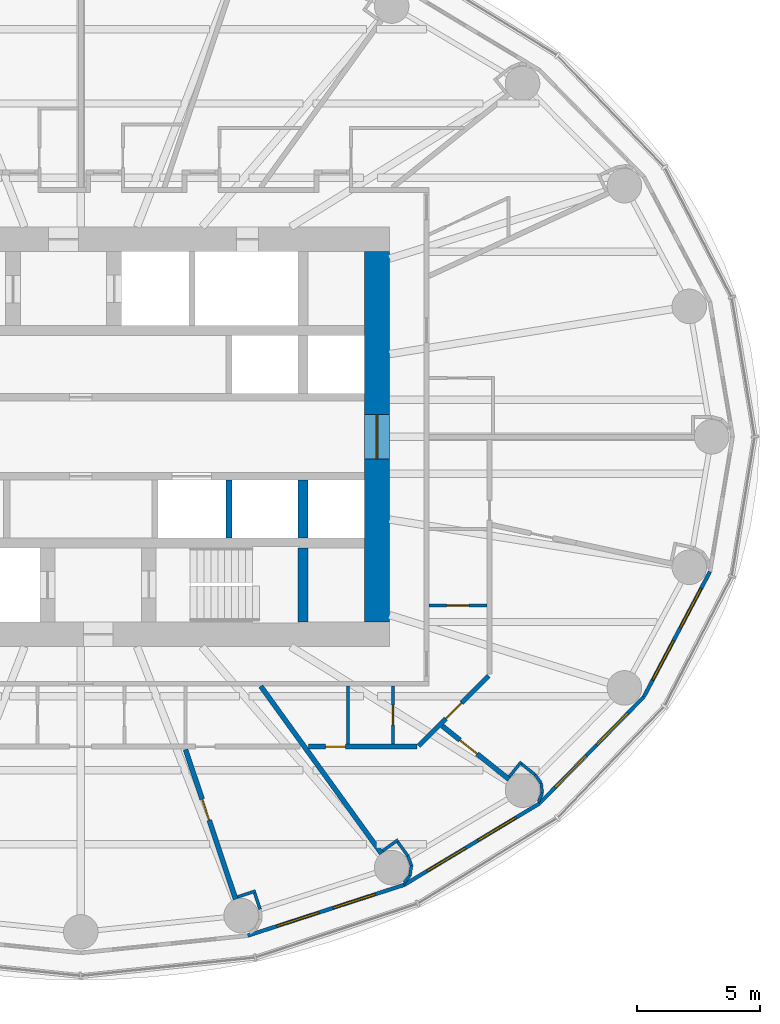
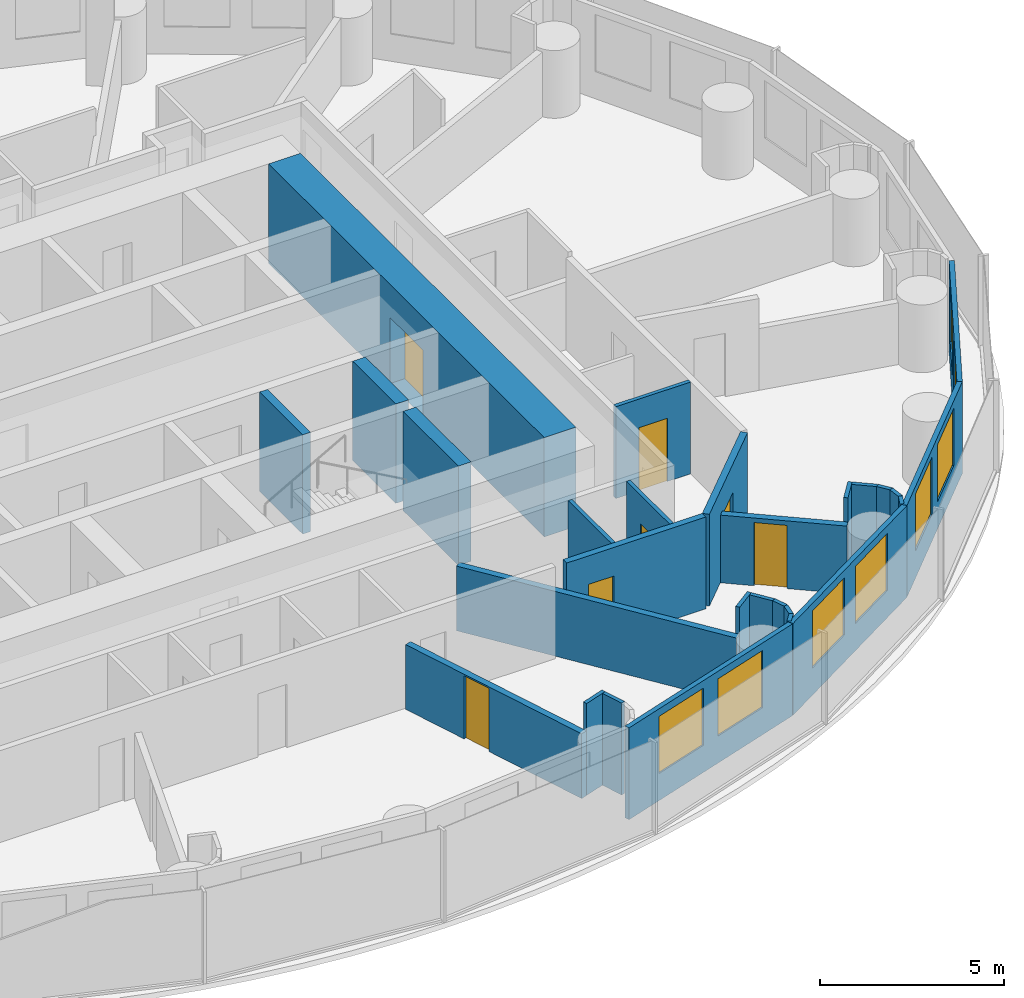
# One storey, part 9 of 14: 28 walls, 8 windows, 7 doors, 15 openings.
"""IFC4 building model written with IfcOpenShell, lengths in metres."""

from ifc_helpers import new_model, si_unit, direction, frame, frame_2d, origin, place, context, subcontext, project, spatial, rectangle, extrude, material, layer, layer_set, type_object, element, fill, save


model = new_model("IFC4")

# Units and contexts
model_context = context("Model", 3, precision=1e-05, world=origin(), true_north=direction((0.0, 1.0)))
body_context = subcontext(model_context, "Body", "Model", "MODEL_VIEW")
ifc_project = project(units=[si_unit("LENGTHUNIT", "METRE"), si_unit("AREAUNIT", "SQUARE_METRE"), si_unit("VOLUMEUNIT", "CUBIC_METRE"), si_unit("PLANEANGLEUNIT", "RADIAN"), si_unit("MASSUNIT", "GRAM", prefix="KILO")], contexts=[model_context])

# Site, building, storey
site_placement = place(None, origin())
site = spatial("IfcSite", under=ifc_project, at=site_placement, CompositionType="ELEMENT")
building_placement = place(site_placement, origin())
building = spatial("IfcBuilding", under=site, at=building_placement, Name="Hankou Lantern Tower", CompositionType="ELEMENT")
storey_placement = place(building_placement, frame((0.0, 0.0, 90.300048828125)))
storey = spatial("IfcBuildingStorey", under=building, at=storey_placement, Name="L23", CompositionType="ELEMENT", Elevation=90.300048828125)

# Wall, opening, door
ifc_material_1 = material(Name="Concrete C60", Category="concrete")
ifc_layer_1 = layer(ifc_material_1, 1.0)
ifc_layer_set_1 = layer_set([ifc_layer_1], Name="Concrete C60")
wall_type_1 = type_object("IfcWallType", Name="CW1 CORE WALL 1000", PredefinedType="SHEAR", material=ifc_layer_set_1)
wall_1_placement = place(storey_placement, frame((12.0, -7.5, 0.0), z_axis=(0.0, 0.0, 1.0), x_axis=(0.0, 1.0, 0.0)))
wall_1 = element("IfcWall", 1, at=wall_1_placement, inside=storey, type_object=wall_type_1, Name="Core wall east L23", PredefinedType="SHEAR", context=body_context, shape_type="SweptSolid", body=[
    extrude(rectangle(XDim=15.0, YDim=1.0, at=frame_2d((7.5, 0.0))), origin(), (0.0, 0.0, 1.0), 3.300048828125),
])
opening_1_placement = place(wall_1_placement, frame((6.60009765625, 0.0, 0.0)))
opening_1 = element("IfcOpeningElement", 2, at=opening_1_placement, cuts=wall_1, Name="Opening D6", PredefinedType="OPENING", context=body_context, shape_type="SweptSolid", body=[
    extrude(rectangle(XDim=1.800048828125, YDim=2.199951171875, at=frame_2d((0.89990234375, 1.10009765625))), frame((0.0, 0.510009765625, 0.0), z_axis=(0.0, -1.0, 0.0), x_axis=(1.0, 0.0, 0.0)), (0.0, 0.0, 1.0), 1.02001953125),
])
ifc_material_2 = material(Name="Steel door leaf", Category="steel")
door_type_1 = type_object("IfcDoorType", Name="D6 LIFT LOBBY DOOR 1800X2200", OperationType="DOUBLE_DOOR_DOUBLE_SWING", PredefinedType="DOOR", material=ifc_material_2)
door_1_placement = place(opening_1_placement, origin())
door_1 = element("IfcDoor", 3, at=door_1_placement, inside=storey, type_object=door_type_1, Name="Lift lobby east door", OperationType="DOUBLE_DOOR_DOUBLE_SWING", OverallHeight=2.199951171875, OverallWidth=1.800048828125, PredefinedType="DOOR", context=body_context, shape_type="SweptSolid", body=[
    extrude(rectangle(XDim=1.800048828125, YDim=2.199951171875, at=frame_2d((0.89990234375, 1.10009765625))), frame((0.0, 0.02490234375, 0.0), z_axis=(0.0, -1.0, 0.0), x_axis=(1.0, 0.0, 0.0)), (0.0, 0.0, 1.0), 0.050048828125),
])
fill(opening_1, door_1)

# Walls
ifc_material_3 = material(Name="Concrete C60", Category="concrete")
ifc_layer_2 = layer(ifc_material_3, 0.39990234375)
ifc_layer_set_2 = layer_set([ifc_layer_2], Name="Concrete C60")
wall_type_2 = type_object("IfcWallType", Name="CW4 CORE CROSS WALL 400", PredefinedType="SHEAR", material=ifc_layer_set_2)
wall_2_placement = place(storey_placement, frame((9.0, -4.10009765625, 0.0), z_axis=(0.0, 0.0, 1.0), x_axis=(0.0, 1.0, 0.0)))
element("IfcWall", 4, at=wall_2_placement, inside=storey, type_object=wall_type_2, Name="Core strip wall L23", PredefinedType="SHEAR", context=body_context, shape_type="SweptSolid", body=[
    extrude(rectangle(XDim=2.35009765625, YDim=0.39990234375, at=frame_2d((1.175048828125, 0.0))), origin(), (0.0, 0.0, 1.0), 3.300048828125),
])
wall_3_placement = place(storey_placement, frame((9.0, -7.5, 0.0), z_axis=(0.0, 0.0, 1.0), x_axis=(0.0, 1.0, 0.0)))
element("IfcWall", 5, at=wall_3_placement, inside=storey, type_object=wall_type_2, Name="Core strip wall L23", PredefinedType="SHEAR", context=body_context, shape_type="SweptSolid", body=[
    extrude(rectangle(XDim=3.0, YDim=0.39990234375, at=frame_2d((1.5, 0.0))), origin(), (0.0, 0.0, 1.0), 3.300048828125),
])

# Wall, openings, windows
ifc_material_4 = material(Name="Aluminium spandrel panel on steel studs", Category="steel")
ifc_layer_3 = layer(ifc_material_4, 0.14990234375)
ifc_layer_set_3 = layer_set([ifc_layer_3], Name="Aluminium spandrel panel on steel studs")
wall_type_3 = type_object("IfcWallType", Name="EW1 INNER SKIN WALL 150", PredefinedType="ELEMENTEDWALL", material=ifc_layer_set_3)
wall_4_placement = place(storey_placement, frame((6.766357421875, -20.201904296875, 0.0), z_axis=(0.0, 0.0, 1.0), x_axis=(0.951137534625, 0.308767534285, 0.0)))
wall_4 = element("IfcWall", 6, at=wall_4_placement, inside=storey, type_object=wall_type_3, Name="Inner skin R20-R21 L23", PredefinedType="ELEMENTEDWALL", context=body_context, shape_type="SweptSolid", body=[
    extrude(rectangle(XDim=6.6552734375, YDim=0.14990234375, at=frame_2d((3.32763671875, 0.0))), origin(), (0.0, 0.0, 1.0), 3.050048828125),
])
opening_2_placement = place(wall_4_placement, frame((1.2275390625, 0.0, 0.89990234375)))
opening_2 = element("IfcOpeningElement", 7, at=opening_2_placement, cuts=wall_4, Name="Opening W1", PredefinedType="OPENING", context=body_context, shape_type="SweptSolid", body=[
    extrude(rectangle(XDim=1.800048828125, YDim=1.89990234375, at=frame_2d((0.89990234375, 0.949951171875))), frame((0.0, 0.0849609375, 0.0), z_axis=(0.0, -1.0, 0.0), x_axis=(1.0, 0.0, 0.0)), (0.0, 0.0, 1.0), 0.169921875),
])
opening_3_placement = place(wall_4_placement, frame((3.627685546875, 0.0, 0.89990234375)))
opening_3 = element("IfcOpeningElement", 8, at=opening_3_placement, cuts=wall_4, Name="Opening W1", PredefinedType="OPENING", context=body_context, shape_type="SweptSolid", body=[
    extrude(rectangle(XDim=1.800048828125, YDim=1.89990234375, at=frame_2d((0.89990234375, 0.949951171875))), frame((0.0, 0.0849609375, 0.0), z_axis=(0.0, -1.0, 0.0), x_axis=(1.0, 0.0, 0.0)), (0.0, 0.0, 1.0), 0.169921875),
])
ifc_material_5 = material(Name="Aluminium framed double glazed window", Category="aluminium")
window_type = type_object("IfcWindowType", Name="W1 GUEST ROOM WINDOW 1800X1900", PartitioningType="DOUBLE_PANEL_VERTICAL", PredefinedType="WINDOW", material=ifc_material_5)
window_1_placement = place(opening_2_placement, origin())
window_1 = element("IfcWindow", 9, at=window_1_placement, inside=storey, type_object=window_type, Name="Window R20.1 L23", OverallHeight=1.89990234375, OverallWidth=1.800048828125, PartitioningType="SINGLE_PANEL", PredefinedType="WINDOW", context=body_context, shape_type="SweptSolid", body=[
    extrude(rectangle(XDim=1.800048828125, YDim=1.89990234375, at=frame_2d((0.89990234375, 0.949951171875))), frame((0.0, 0.030029296875, 0.0), z_axis=(0.0, -1.0, 0.0), x_axis=(1.0, 0.0, 0.0)), (0.0, 0.0, 1.0), 0.06005859375),
])
fill(opening_2, window_1)
window_2_placement = place(opening_3_placement, origin())
window_2 = element("IfcWindow", 10, at=window_2_placement, inside=storey, type_object=window_type, Name="Window R20.2 L23", OverallHeight=1.89990234375, OverallWidth=1.800048828125, PartitioningType="SINGLE_PANEL", PredefinedType="WINDOW", context=body_context, shape_type="SweptSolid", body=[
    extrude(rectangle(XDim=1.800048828125, YDim=1.89990234375, at=frame_2d((0.89990234375, 0.949951171875))), frame((0.0, 0.030029296875, 0.0), z_axis=(0.0, -1.0, 0.0), x_axis=(1.0, 0.0, 0.0)), (0.0, 0.0, 1.0), 0.06005859375),
])
fill(opening_3, window_2)

wall_5_placement = place(storey_placement, frame((13.096435546875, -18.14697265625, 0.0), z_axis=(0.0, 0.0, 1.0), x_axis=(0.856983180864, 0.515344377787, 0.0)))
wall_5 = element("IfcWall", 11, at=wall_5_placement, inside=storey, type_object=wall_type_3, Name="Inner skin R21-R22 L23", PredefinedType="ELEMENTEDWALL", context=body_context, shape_type="SweptSolid", body=[
    extrude(rectangle(XDim=6.386474609375, YDim=0.14990234375, at=frame_2d((3.193359375, 0.0))), origin(), (0.0, 0.0, 1.0), 3.050048828125),
])
opening_4_placement = place(wall_5_placement, frame((1.09326171875, 0.0, 0.89990234375)))
opening_4 = element("IfcOpeningElement", 12, at=opening_4_placement, cuts=wall_5, Name="Opening W1", PredefinedType="OPENING", context=body_context, shape_type="SweptSolid", body=[
    extrude(rectangle(XDim=1.800048828125, YDim=1.89990234375, at=frame_2d((0.89990234375, 0.949951171875))), frame((0.0, 0.0849609375, 0.0), z_axis=(0.0, -1.0, 0.0), x_axis=(1.0, 0.0, 0.0)), (0.0, 0.0, 1.0), 0.169921875),
])
opening_5_placement = place(wall_5_placement, frame((3.4931640625, 0.0, 0.89990234375)))
opening_5 = element("IfcOpeningElement", 13, at=opening_5_placement, cuts=wall_5, Name="Opening W1", PredefinedType="OPENING", context=body_context, shape_type="SweptSolid", body=[
    extrude(rectangle(XDim=1.800048828125, YDim=1.89990234375, at=frame_2d((0.89990234375, 0.949951171875))), frame((0.0, 0.0849609375, 0.0), z_axis=(0.0, -1.0, 0.0), x_axis=(1.0, 0.0, 0.0)), (0.0, 0.0, 1.0), 0.169921875),
])
window_3_placement = place(opening_4_placement, origin())
window_3 = element("IfcWindow", 14, at=window_3_placement, inside=storey, type_object=window_type, Name="Window R21.1 L23", OverallHeight=1.89990234375, OverallWidth=1.800048828125, PartitioningType="SINGLE_PANEL", PredefinedType="WINDOW", context=body_context, shape_type="SweptSolid", body=[
    extrude(rectangle(XDim=1.800048828125, YDim=1.89990234375, at=frame_2d((0.89990234375, 0.949951171875))), frame((0.0, 0.030029296875, 0.0), z_axis=(0.0, -1.0, 0.0), x_axis=(1.0, 0.0, 0.0)), (0.0, 0.0, 1.0), 0.06005859375),
])
fill(opening_4, window_3)
window_4_placement = place(opening_5_placement, origin())
window_4 = element("IfcWindow", 15, at=window_4_placement, inside=storey, type_object=window_type, Name="Window R21.2 L23", OverallHeight=1.89990234375, OverallWidth=1.800048828125, PartitioningType="SINGLE_PANEL", PredefinedType="WINDOW", context=body_context, shape_type="SweptSolid", body=[
    extrude(rectangle(XDim=1.800048828125, YDim=1.89990234375, at=frame_2d((0.89990234375, 0.949951171875))), frame((0.0, 0.030029296875, 0.0), z_axis=(0.0, -1.0, 0.0), x_axis=(1.0, 0.0, 0.0)), (0.0, 0.0, 1.0), 0.06005859375),
])
fill(opening_5, window_4)

wall_6_placement = place(storey_placement, frame((18.569580078125, -14.855712890625, 0.0), z_axis=(0.0, 0.0, 1.0), x_axis=(0.699602905915, 0.714531856557, 0.0)))
wall_6 = element("IfcWall", 16, at=wall_6_placement, inside=storey, type_object=wall_type_3, Name="Inner skin R22-R23 L23", PredefinedType="ELEMENTEDWALL", context=body_context, shape_type="SweptSolid", body=[
    extrude(rectangle(XDim=6.05078125, YDim=0.14990234375, at=frame_2d((3.025390625, 0.0))), origin(), (0.0, 0.0, 1.0), 3.050048828125),
])
opening_6_placement = place(wall_6_placement, frame((0.925537109375, 0.0, 0.89990234375)))
opening_6 = element("IfcOpeningElement", 17, at=opening_6_placement, cuts=wall_6, Name="Opening W1", PredefinedType="OPENING", context=body_context, shape_type="SweptSolid", body=[
    extrude(rectangle(XDim=1.800048828125, YDim=1.89990234375, at=frame_2d((0.89990234375, 0.949951171875))), frame((0.0, 0.0849609375, 0.0), z_axis=(0.0, -1.0, 0.0), x_axis=(1.0, 0.0, 0.0)), (0.0, 0.0, 1.0), 0.169921875),
])
opening_7_placement = place(wall_6_placement, frame((3.325439453125, 0.0, 0.89990234375)))
opening_7 = element("IfcOpeningElement", 18, at=opening_7_placement, cuts=wall_6, Name="Opening W1", PredefinedType="OPENING", context=body_context, shape_type="SweptSolid", body=[
    extrude(rectangle(XDim=1.800048828125, YDim=1.89990234375, at=frame_2d((0.89990234375, 0.949951171875))), frame((0.0, 0.0849609375, 0.0), z_axis=(0.0, -1.0, 0.0), x_axis=(1.0, 0.0, 0.0)), (0.0, 0.0, 1.0), 0.169921875),
])
window_5_placement = place(opening_6_placement, origin())
window_5 = element("IfcWindow", 19, at=window_5_placement, inside=storey, type_object=window_type, Name="Window R22.1 L23", OverallHeight=1.89990234375, OverallWidth=1.800048828125, PartitioningType="SINGLE_PANEL", PredefinedType="WINDOW", context=body_context, shape_type="SweptSolid", body=[
    extrude(rectangle(XDim=1.800048828125, YDim=1.89990234375, at=frame_2d((0.89990234375, 0.949951171875))), frame((0.0, 0.030029296875, 0.0), z_axis=(0.0, -1.0, 0.0), x_axis=(1.0, 0.0, 0.0)), (0.0, 0.0, 1.0), 0.06005859375),
])
fill(opening_6, window_5)
window_6_placement = place(opening_7_placement, origin())
window_6 = element("IfcWindow", 20, at=window_6_placement, inside=storey, type_object=window_type, Name="Window R22.2 L23", OverallHeight=1.89990234375, OverallWidth=1.800048828125, PartitioningType="SINGLE_PANEL", PredefinedType="WINDOW", context=body_context, shape_type="SweptSolid", body=[
    extrude(rectangle(XDim=1.800048828125, YDim=1.89990234375, at=frame_2d((0.89990234375, 0.949951171875))), frame((0.0, 0.030029296875, 0.0), z_axis=(0.0, -1.0, 0.0), x_axis=(1.0, 0.0, 0.0)), (0.0, 0.0, 1.0), 0.06005859375),
])
fill(opening_7, window_6)

wall_7_placement = place(storey_placement, frame((22.802734375, -10.5322265625, 0.0), z_axis=(0.0, 0.0, 1.0), x_axis=(0.467296867008, 0.884100468321, 0.0)))
wall_7 = element("IfcWall", 21, at=wall_7_placement, inside=storey, type_object=wall_type_3, Name="Inner skin R23-R24 L23", PredefinedType="ELEMENTEDWALL", context=body_context, shape_type="SweptSolid", body=[
    extrude(rectangle(XDim=5.734375, YDim=0.14990234375, at=frame_2d((2.8671875, 0.0))), origin(), (0.0, 0.0, 1.0), 3.050048828125),
])
opening_8_placement = place(wall_7_placement, frame((0.76708984375, 0.0, 0.89990234375)))
opening_8 = element("IfcOpeningElement", 22, at=opening_8_placement, cuts=wall_7, Name="Opening W1", PredefinedType="OPENING", context=body_context, shape_type="SweptSolid", body=[
    extrude(rectangle(XDim=1.800048828125, YDim=1.89990234375, at=frame_2d((0.89990234375, 0.949951171875))), frame((0.0, 0.0849609375, 0.0), z_axis=(0.0, -1.0, 0.0), x_axis=(1.0, 0.0, 0.0)), (0.0, 0.0, 1.0), 0.169921875),
])
opening_9_placement = place(wall_7_placement, frame((3.167236328125, 0.0, 0.89990234375)))
opening_9 = element("IfcOpeningElement", 23, at=opening_9_placement, cuts=wall_7, Name="Opening W1", PredefinedType="OPENING", context=body_context, shape_type="SweptSolid", body=[
    extrude(rectangle(XDim=1.800048828125, YDim=1.89990234375, at=frame_2d((0.89990234375, 0.949951171875))), frame((0.0, 0.0849609375, 0.0), z_axis=(0.0, -1.0, 0.0), x_axis=(1.0, 0.0, 0.0)), (0.0, 0.0, 1.0), 0.169921875),
])
window_7_placement = place(opening_8_placement, origin())
window_7 = element("IfcWindow", 24, at=window_7_placement, inside=storey, type_object=window_type, Name="Window R23.1 L23", OverallHeight=1.89990234375, OverallWidth=1.800048828125, PartitioningType="SINGLE_PANEL", PredefinedType="WINDOW", context=body_context, shape_type="SweptSolid", body=[
    extrude(rectangle(XDim=1.800048828125, YDim=1.89990234375, at=frame_2d((0.89990234375, 0.949951171875))), frame((0.0, 0.030029296875, 0.0), z_axis=(0.0, -1.0, 0.0), x_axis=(1.0, 0.0, 0.0)), (0.0, 0.0, 1.0), 0.06005859375),
])
fill(opening_8, window_7)
window_8_placement = place(opening_9_placement, origin())
window_8 = element("IfcWindow", 25, at=window_8_placement, inside=storey, type_object=window_type, Name="Window R23.2 L23", OverallHeight=1.89990234375, OverallWidth=1.800048828125, PartitioningType="SINGLE_PANEL", PredefinedType="WINDOW", context=body_context, shape_type="SweptSolid", body=[
    extrude(rectangle(XDim=1.800048828125, YDim=1.89990234375, at=frame_2d((0.89990234375, 0.949951171875))), frame((0.0, 0.030029296875, 0.0), z_axis=(0.0, -1.0, 0.0), x_axis=(1.0, 0.0, 0.0)), (0.0, 0.0, 1.0), 0.06005859375),
])
fill(opening_9, window_8)

# Walls
ifc_material_6 = material(Name="Masonry lightweight concrete block", Category="masonry")
ifc_layer_4 = layer(ifc_material_6, 0.199951171875)
ifc_layer_set_4 = layer_set([ifc_layer_4], Name="Masonry lightweight concrete block")
wall_type_4 = type_object("IfcWallType", Name="IW1 GUEST ROOM PARTY WALL 200", PredefinedType="PARTITIONING", material=ifc_layer_set_4)
wall_8_placement = place(storey_placement, frame((7.2890625, -10.10009765625, 0.0), z_axis=(0.0, 0.0, 1.0), x_axis=(0.585198353053, -0.810890182197, 0.0)))
element("IfcWall", 26, at=wall_8_placement, inside=storey, type_object=wall_type_4, Name="Party wall R21", PredefinedType="PARTITIONING", context=body_context, shape_type="SweptSolid", body=[
    extrude(rectangle(XDim=8.359619140625, YDim=0.199951171875, at=frame_2d((4.1796875, 0.0))), origin(), (0.0, 0.0, 1.0), 2.14990234375),
])
ifc_material_7 = material(Name="Masonry lightweight concrete block", Category="masonry")
ifc_layer_5 = layer(ifc_material_7, 0.1201171875)
ifc_layer_set_5 = layer_set([ifc_layer_5], Name="Masonry lightweight concrete block")
wall_type_5 = type_object("IfcWallType", Name="IW3 BATHROOM WALL 120", PredefinedType="PARTITIONING", material=ifc_layer_set_5)
wall_9_placement = place(storey_placement, frame((10.813720703125, -10.10009765625, 0.0), z_axis=(0.0, 0.0, 1.0), x_axis=(0.0, -1.0, 0.0)))
element("IfcWall", 27, at=wall_9_placement, inside=storey, type_object=wall_type_5, Name="Box wall 2307 1", PredefinedType="PARTITIONING", context=body_context, shape_type="SweptSolid", body=[
    extrude(rectangle(XDim=2.349853515625, YDim=0.1201171875, at=frame_2d((1.1748046875, 0.0))), origin(), (0.0, 0.0, 1.0), 3.050048828125),
])

# Wall, opening, door
wall_10_placement = place(storey_placement, frame((12.6435546875, -10.10009765625, 0.0), z_axis=(0.0, 0.0, 1.0), x_axis=(0.0, -1.0, 0.0)))
wall_10 = element("IfcWall", 28, at=wall_10_placement, inside=storey, type_object=wall_type_5, Name="Box wall 2307 2", PredefinedType="PARTITIONING", context=body_context, shape_type="SweptSolid", body=[
    extrude(rectangle(XDim=2.349853515625, YDim=0.1201171875, at=frame_2d((1.1748046875, 0.0))), origin(), (0.0, 0.0, 1.0), 3.050048828125),
])
opening_10_placement = place(wall_10_placement, frame((0.77001953125, 0.0, 0.0)))
opening_10 = element("IfcOpeningElement", 29, at=opening_10_placement, cuts=wall_10, Name="Opening D3", PredefinedType="OPENING", context=body_context, shape_type="SweptSolid", body=[
    extrude(rectangle(XDim=0.800048828125, YDim=2.10009765625, at=frame_2d((0.39990234375, 1.050048828125))), frame((0.0, 0.070068359375, 0.0), z_axis=(0.0, -1.0, 0.0), x_axis=(1.0, 0.0, 0.0)), (0.0, 0.0, 1.0), 0.14013671875),
])
ifc_material_8 = material(Name="Timber door leaf", Category="wood")
door_type_2 = type_object("IfcDoorType", Name="D3 BATHROOM DOOR 800X2100", OperationType="SINGLE_SWING_LEFT", PredefinedType="DOOR", material=ifc_material_8)
door_2_placement = place(opening_10_placement, origin())
door_2 = element("IfcDoor", 30, at=door_2_placement, inside=storey, type_object=door_type_2, Name="Family suite 2307 guest WC door", OperationType="SINGLE_SWING_LEFT", OverallHeight=2.10009765625, OverallWidth=0.800048828125, PredefinedType="DOOR", context=body_context, shape_type="SweptSolid", body=[
    extrude(rectangle(XDim=0.800048828125, YDim=2.10009765625, at=frame_2d((0.39990234375, 1.050048828125))), frame((0.0, 0.02490234375, 0.0), z_axis=(0.0, -1.0, 0.0), x_axis=(1.0, 0.0, 0.0)), (0.0, 0.0, 1.0), 0.050048828125),
])
fill(opening_10, door_2)

wall_11_placement = place(storey_placement, frame((14.10009765625, -6.83642578125, 0.0), z_axis=(0.0, 0.0, 1.0), x_axis=(1.0, 0.0, 0.0)))
wall_11 = element("IfcWall", 31, at=wall_11_placement, inside=storey, type_object=wall_type_5, Name="Box wall 2307 3", PredefinedType="PARTITIONING", context=body_context, shape_type="SweptSolid", body=[
    extrude(rectangle(XDim=2.349853515625, YDim=0.1201171875, at=frame_2d((1.1748046875, 0.0))), origin(), (0.0, 0.0, 1.0), 3.050048828125),
])
opening_11_placement = place(wall_11_placement, frame((0.719970703125, 0.0, 0.0)))
opening_11 = element("IfcOpeningElement", 32, at=opening_11_placement, cuts=wall_11, Name="Opening D27", PredefinedType="OPENING", context=body_context, shape_type="SweptSolid", body=[
    extrude(rectangle(XDim=0.89990234375, YDim=2.10009765625, at=frame_2d((0.449951171875, 1.050048828125))), frame((0.0, 0.070068359375, 0.0), z_axis=(0.0, -1.0, 0.0), x_axis=(1.0, 0.0, 0.0)), (0.0, 0.0, 1.0), 0.14013671875),
])
ifc_material_9 = material(Name="Timber door leaf", Category="wood")
door_type_3 = type_object("IfcDoorType", Name="D27 INTERNAL DOOR 900X2100", OperationType="SINGLE_SWING_LEFT", PredefinedType="DOOR", material=ifc_material_9)
door_3_placement = place(opening_11_placement, origin())
door_3 = element("IfcDoor", 33, at=door_3_placement, inside=storey, type_object=door_type_3, Name="Family suite 2307 walk-in wardrobe door", OperationType="SINGLE_SWING_LEFT", OverallHeight=2.10009765625, OverallWidth=0.89990234375, PredefinedType="DOOR", context=body_context, shape_type="SweptSolid", body=[
    extrude(rectangle(XDim=0.89990234375, YDim=2.10009765625, at=frame_2d((0.449951171875, 1.050048828125))), frame((0.0, 0.02490234375, 0.0), z_axis=(0.0, -1.0, 0.0), x_axis=(1.0, 0.0, 0.0)), (0.0, 0.0, 1.0), 0.050048828125),
])
fill(opening_11, door_3)

# Walls
ifc_material_10 = material(Name="Masonry lightweight concrete block", Category="masonry")
ifc_layer_6 = layer(ifc_material_10, 0.1201171875)
ifc_layer_set_6 = layer_set([ifc_layer_6], Name="Masonry lightweight concrete block")
wall_type_6 = type_object("IfcWallType", Name="IW4 PARTITION 120", PredefinedType="PARTITIONING", material=ifc_layer_set_6)
wall_12_placement = place(storey_placement, frame((6.348388671875, -18.638916015625, 0.0), z_axis=(0.0, 0.0, 1.0), x_axis=(0.948268951266, 0.317468102437, 0.0)))
element("IfcWall", 34, at=wall_12_placement, inside=storey, type_object=wall_type_6, Name="Column casing R20 return", PredefinedType="PARTITIONING", context=body_context, shape_type="SweptSolid", body=[
    extrude(rectangle(XDim=0.767578125, YDim=0.1201171875, at=frame_2d((0.3837890625, 0.0))), origin(), (0.0, 0.0, 1.0), 3.050048828125),
])
wall_13_placement = place(storey_placement, frame((7.038330078125, -18.47119140625, 0.0), z_axis=(0.0, 0.0, 1.0), x_axis=(0.317378466199, -0.9482989556, 0.0)))
element("IfcWall", 35, at=wall_13_placement, inside=storey, type_object=wall_type_6, Name="Column casing R20", PredefinedType="PARTITIONING", context=body_context, shape_type="SweptSolid", body=[
    extrude(rectangle(XDim=0.699951171875, YDim=0.1201171875, at=frame_2d((0.35009765625, 0.0))), origin(), (0.0, 0.0, 1.0), 3.050048828125),
])
wall_14_placement = place(storey_placement, frame((12.227294921875, -16.771728515625, 0.0), z_axis=(0.0, 0.0, 1.0), x_axis=(0.810821798253, 0.585293098778, 0.0)))
element("IfcWall", 36, at=wall_14_placement, inside=storey, type_object=wall_type_6, Name="Column casing R21 return", PredefinedType="PARTITIONING", context=body_context, shape_type="SweptSolid", body=[
    extrude(rectangle(XDim=0.767578125, YDim=0.1201171875, at=frame_2d((0.3837890625, 0.0))), origin(), (0.0, 0.0, 1.0), 3.050048828125),
])
wall_15_placement = place(storey_placement, frame((12.8359375, -16.40625, 0.0), z_axis=(0.0, 0.0, 1.0), x_axis=(0.585223113993, -0.810872312296, 0.0)))
element("IfcWall", 37, at=wall_15_placement, inside=storey, type_object=wall_type_6, Name="Column casing R21", PredefinedType="PARTITIONING", context=body_context, shape_type="SweptSolid", body=[
    extrude(rectangle(XDim=0.699951171875, YDim=0.1201171875, at=frame_2d((0.35009765625, 0.0))), origin(), (0.0, 0.0, 1.0), 3.050048828125),
])
wall_16_placement = place(storey_placement, frame((13.24560546875, -16.973876953125, 0.0), z_axis=(0.0, 0.0, 1.0), x_axis=(0.355728122235, -0.934589483705, 0.0)))
element("IfcWall", 38, at=wall_16_placement, inside=storey, type_object=wall_type_6, Name="Column casing R21", PredefinedType="PARTITIONING", context=body_context, shape_type="SweptSolid", body=[
    extrude(rectangle(XDim=0.41796875, YDim=0.1201171875, at=frame_2d((0.208984375, 0.0))), origin(), (0.0, 0.0, 1.0), 3.050048828125),
])
wall_17_placement = place(storey_placement, frame((13.394287109375, -17.364501953125, 0.0), z_axis=(0.0, 0.0, 1.0), x_axis=(-0.159379276926, -0.987217425943, 0.0)))
element("IfcWall", 39, at=wall_17_placement, inside=storey, type_object=wall_type_6, Name="Column casing R21", PredefinedType="PARTITIONING", context=body_context, shape_type="SweptSolid", body=[
    extrude(rectangle(XDim=0.418212890625, YDim=0.1201171875, at=frame_2d((0.208984375, 0.0))), origin(), (0.0, 0.0, 1.0), 3.050048828125),
])
wall_18_placement = place(storey_placement, frame((13.32763671875, -17.77734375, 0.0), z_axis=(0.0, 0.0, 1.0), x_axis=(-0.632276783541, -0.774742582407, 0.0)))
element("IfcWall", 40, at=wall_18_placement, inside=storey, type_object=wall_type_6, Name="Column casing R21", PredefinedType="PARTITIONING", context=body_context, shape_type="SweptSolid", body=[
    extrude(rectangle(XDim=0.35986328125, YDim=0.1201171875, at=frame_2d((0.179931640625, 0.0))), origin(), (0.0, 0.0, 1.0), 3.050048828125),
])
wall_19_placement = place(storey_placement, frame((17.36083984375, -13.760498046875, 0.0), z_axis=(0.0, 0.0, 1.0), x_axis=(0.624501042889, 0.781023973659, 0.0)))
element("IfcWall", 41, at=wall_19_placement, inside=storey, type_object=wall_type_6, Name="Column casing R22 return", PredefinedType="PARTITIONING", context=body_context, shape_type="SweptSolid", body=[
    extrude(rectangle(XDim=0.767333984375, YDim=0.1201171875, at=frame_2d((0.3837890625, 0.0))), origin(), (0.0, 0.0, 1.0), 3.050048828125),
])
wall_20_placement = place(storey_placement, frame((17.849609375, -13.24560546875, 0.0), z_axis=(0.0, 0.0, 1.0), x_axis=(0.780902834923, -0.62465251333, 0.0)))
element("IfcWall", 42, at=wall_20_placement, inside=storey, type_object=wall_type_6, Name="Column casing R22", PredefinedType="PARTITIONING", context=body_context, shape_type="SweptSolid", body=[
    extrude(rectangle(XDim=0.699951171875, YDim=0.1201171875, at=frame_2d((0.35009765625, 0.0))), origin(), (0.0, 0.0, 1.0), 3.050048828125),
])
for number, where, z_axis, x_axis, name in (
    (43, (18.396240234375, -13.682861328125, 0.0), (0.0, 0.0, 1.0), (0.592401603461, -0.805642811807, 0.0), "Column casing R22"),
    (44, (18.643798828125, -14.01953125, 0.0), (0.0, 0.0, 1.0), (0.110367433259, -0.993890854006, 0.0), "Column casing R22"),
):
    element("IfcWall", number, at=place(storey_placement, frame(where, z_axis=z_axis, x_axis=x_axis)), inside=storey, type_object=wall_type_6, Name=name, PredefinedType="PARTITIONING", context=body_context, shape_type="SweptSolid", body=[
        extrude(rectangle(XDim=0.41796875, YDim=0.1201171875, at=frame_2d((0.208984375, 0.0))), origin(), (0.0, 0.0, 1.0), 3.050048828125),
    ])
wall_21_placement = place(storey_placement, frame((18.68994140625, -14.43505859375, 0.0), z_axis=(0.0, 0.0, 1.0), x_axis=(-0.401093412634, -0.91603715773, 0.0)))
element("IfcWall", 45, at=wall_21_placement, inside=storey, type_object=wall_type_6, Name="Column casing R22", PredefinedType="PARTITIONING", context=body_context, shape_type="SweptSolid", body=[
    extrude(rectangle(XDim=0.373046875, YDim=0.1201171875, at=frame_2d((0.1865234375, 0.0))), origin(), (0.0, 0.0, 1.0), 3.050048828125),
])

# Wall, opening, door
ifc_material_11 = material(Name="Masonry lightweight concrete block", Category="masonry")
ifc_layer_7 = layer(ifc_material_11, 0.199951171875)
ifc_layer_set_7 = layer_set([ifc_layer_7], Name="Masonry lightweight concrete block")
wall_type_7 = type_object("IfcWallType", Name="IW6 SUITE PARTITION 200", PredefinedType="PARTITIONING", material=ifc_layer_set_7)
wall_22_placement = place(storey_placement, frame((4.24169921875, -12.664306640625, 0.0), z_axis=(0.0, 0.0, 1.0), x_axis=(0.317590505374, -0.94822796357, 0.0)))
wall_22 = element("IfcWall", 46, at=wall_22_placement, inside=storey, type_object=wall_type_7, Name="Suite partition R20", PredefinedType="PARTITIONING", context=body_context, shape_type="SweptSolid", body=[
    extrude(rectangle(XDim=6.394287109375, YDim=0.199951171875, at=frame_2d((3.197265625, 0.0))), origin(), (0.0, 0.0, 1.0), 2.14990234375),
])
opening_12_placement = place(wall_22_placement, frame((2.1201171875, 0.0, 0.0)))
opening_12 = element("IfcOpeningElement", 47, at=opening_12_placement, cuts=wall_22, Name="Opening D27", PredefinedType="OPENING", context=body_context, shape_type="SweptSolid", body=[
    extrude(rectangle(XDim=0.89990234375, YDim=2.10009765625, at=frame_2d((0.449951171875, 1.050048828125))), frame((0.0, 0.10986328125, 0.0), z_axis=(0.0, -1.0, 0.0), x_axis=(1.0, 0.0, 0.0)), (0.0, 0.0, 1.0), 0.219970703125),
])
door_4_placement = place(opening_12_placement, origin())
door_4 = element("IfcDoor", 48, at=door_4_placement, inside=storey, type_object=door_type_3, Name="Family suite 2306 second bedroom door", OperationType="SINGLE_SWING_LEFT", OverallHeight=2.10009765625, OverallWidth=0.89990234375, PredefinedType="DOOR", context=body_context, shape_type="SweptSolid", body=[
    extrude(rectangle(XDim=0.89990234375, YDim=2.10009765625, at=frame_2d((0.449951171875, 1.050048828125))), frame((0.0, 0.02490234375, 0.0), z_axis=(0.0, -1.0, 0.0), x_axis=(1.0, 0.0, 0.0)), (0.0, 0.0, 1.0), 0.050048828125),
])
fill(opening_12, door_4)

wall_23_placement = place(storey_placement, frame((9.231689453125, -12.550048828125, 0.0), z_axis=(0.0, 0.0, 1.0), x_axis=(1.0, 0.0, 0.0)))
wall_23 = element("IfcWall", 49, at=wall_23_placement, inside=storey, type_object=wall_type_7, Name="Suite foyer wall 2307", PredefinedType="PARTITIONING", context=body_context, shape_type="SweptSolid", body=[
    extrude(rectangle(XDim=4.376953125, YDim=0.199951171875, at=frame_2d((2.1884765625, 0.0))), origin(), (0.0, 0.0, 1.0), 3.050048828125),
])
opening_13_placement = place(wall_23_placement, frame((0.685302734375, 0.0, 0.0)))
opening_13 = element("IfcOpeningElement", 50, at=opening_13_placement, cuts=wall_23, Name="Opening D3", PredefinedType="OPENING", context=body_context, shape_type="SweptSolid", body=[
    extrude(rectangle(XDim=0.800048828125, YDim=2.10009765625, at=frame_2d((0.39990234375, 1.050048828125))), frame((0.0, 0.10986328125, 0.0), z_axis=(0.0, -1.0, 0.0), x_axis=(1.0, 0.0, 0.0)), (0.0, 0.0, 1.0), 0.219970703125),
])
door_5_placement = place(opening_13_placement, origin())
door_5 = element("IfcDoor", 51, at=door_5_placement, inside=storey, type_object=door_type_2, Name="Family suite 2307 bathroom door", OperationType="SINGLE_SWING_RIGHT", OverallHeight=2.10009765625, OverallWidth=0.800048828125, PredefinedType="DOOR", context=body_context, shape_type="SweptSolid", body=[
    extrude(rectangle(XDim=0.800048828125, YDim=2.10009765625, at=frame_2d((0.39990234375, 1.050048828125))), frame((0.0, 0.02490234375, 0.0), z_axis=(0.0, -1.0, 0.0), x_axis=(1.0, 0.0, 0.0)), (0.0, 0.0, 1.0), 0.050048828125),
])
fill(opening_13, door_5)

wall_24_placement = place(storey_placement, frame((13.67919921875, -12.520751953125, 0.0), z_axis=(0.0, 0.0, 1.0), x_axis=(0.707106781187, 0.707106781187, 0.0)))
wall_24 = element("IfcWall", 52, at=wall_24_placement, inside=storey, type_object=wall_type_7, Name="Suite foyer wall 2307", PredefinedType="PARTITIONING", context=body_context, shape_type="SweptSolid", body=[
    extrude(rectangle(XDim=4.0185546875, YDim=0.199951171875, at=frame_2d((2.00927734375, 0.0))), origin(), (0.0, 0.0, 1.0), 3.050048828125),
])
opening_14_placement = place(wall_24_placement, frame((1.570068359375, 0.0, 0.0)))
opening_14 = element("IfcOpeningElement", 53, at=opening_14_placement, cuts=wall_24, Name="Opening D27", PredefinedType="OPENING", context=body_context, shape_type="SweptSolid", body=[
    extrude(rectangle(XDim=0.89990234375, YDim=2.10009765625, at=frame_2d((0.449951171875, 1.050048828125))), frame((0.0, 0.10986328125, 0.0), z_axis=(0.0, -1.0, 0.0), x_axis=(1.0, 0.0, 0.0)), (0.0, 0.0, 1.0), 0.219970703125),
])
door_6_placement = place(opening_14_placement, origin())
door_6 = element("IfcDoor", 54, at=door_6_placement, inside=storey, type_object=door_type_3, Name="Family suite 2307 living room door", OperationType="SINGLE_SWING_RIGHT", OverallHeight=2.10009765625, OverallWidth=0.89990234375, PredefinedType="DOOR", context=body_context, shape_type="SweptSolid", body=[
    extrude(rectangle(XDim=0.89990234375, YDim=2.10009765625, at=frame_2d((0.449951171875, 1.050048828125))), frame((0.0, 0.02490234375, 0.0), z_axis=(0.0, -1.0, 0.0), x_axis=(1.0, 0.0, 0.0)), (0.0, 0.0, 1.0), 0.050048828125),
])
fill(opening_14, door_6)

wall_25_placement = place(storey_placement, frame((14.634033203125, -11.707275390625, 0.0), z_axis=(0.0, 0.0, 1.0), x_axis=(0.780903110683, -0.624652168591, 0.0)))
wall_25 = element("IfcWall", 55, at=wall_25_placement, inside=storey, type_object=wall_type_7, Name="Suite partition R22", PredefinedType="PARTITIONING", context=body_context, shape_type="SweptSolid", body=[
    extrude(rectangle(XDim=3.471923828125, YDim=0.199951171875, at=frame_2d((1.73583984375, 0.0))), origin(), (0.0, 0.0, 1.0), 2.25),
])
opening_15_placement = place(wall_25_placement, frame((0.919921875, 0.0, 0.0)))
opening_15 = element("IfcOpeningElement", 56, at=opening_15_placement, cuts=wall_25, Name="Opening D27", PredefinedType="OPENING", context=body_context, shape_type="SweptSolid", body=[
    extrude(rectangle(XDim=0.89990234375, YDim=2.10009765625, at=frame_2d((0.449951171875, 1.050048828125))), frame((0.0, 0.10986328125, 0.0), z_axis=(0.0, -1.0, 0.0), x_axis=(1.0, 0.0, 0.0)), (0.0, 0.0, 1.0), 0.219970703125),
])
door_7_placement = place(opening_15_placement, origin())
door_7 = element("IfcDoor", 57, at=door_7_placement, inside=storey, type_object=door_type_3, Name="Family suite 2307 bedroom door", OperationType="SINGLE_SWING_LEFT", OverallHeight=2.10009765625, OverallWidth=0.89990234375, PredefinedType="DOOR", context=body_context, shape_type="SweptSolid", body=[
    extrude(rectangle(XDim=0.89990234375, YDim=2.10009765625, at=frame_2d((0.449951171875, 1.050048828125))), frame((0.0, 0.02490234375, 0.0), z_axis=(0.0, -1.0, 0.0), x_axis=(1.0, 0.0, 0.0)), (0.0, 0.0, 1.0), 0.050048828125),
])
fill(opening_15, door_7)

# Wall
ifc_material_12 = material(Name="Masonry autoclaved aerated concrete block", Category="masonry")
ifc_layer_8 = layer(ifc_material_12, 0.25)
ifc_layer_set_8 = layer_set([ifc_layer_8], Name="Masonry autoclaved aerated concrete block")
wall_type_8 = type_object("IfcWallType", Name="SW1 SHAFT BLOCK WALL 250", PredefinedType="PARTITIONING", material=ifc_layer_set_8)
wall_26_placement = place(storey_placement, frame((6.0, -4.10009765625, 0.0), z_axis=(0.0, 0.0, 1.0), x_axis=(0.0, 1.0, 0.0)))
element("IfcWall", 58, at=wall_26_placement, inside=storey, type_object=wall_type_8, Name="Lift shaft wall L23", PredefinedType="PARTITIONING", context=body_context, shape_type="SweptSolid", body=[
    extrude(rectangle(XDim=2.35009765625, YDim=0.25, at=frame_2d((1.175048828125, 0.0))), origin(), (0.0, 0.0, 1.0), 3.300048828125),
])

save(model, "model.ifc")
